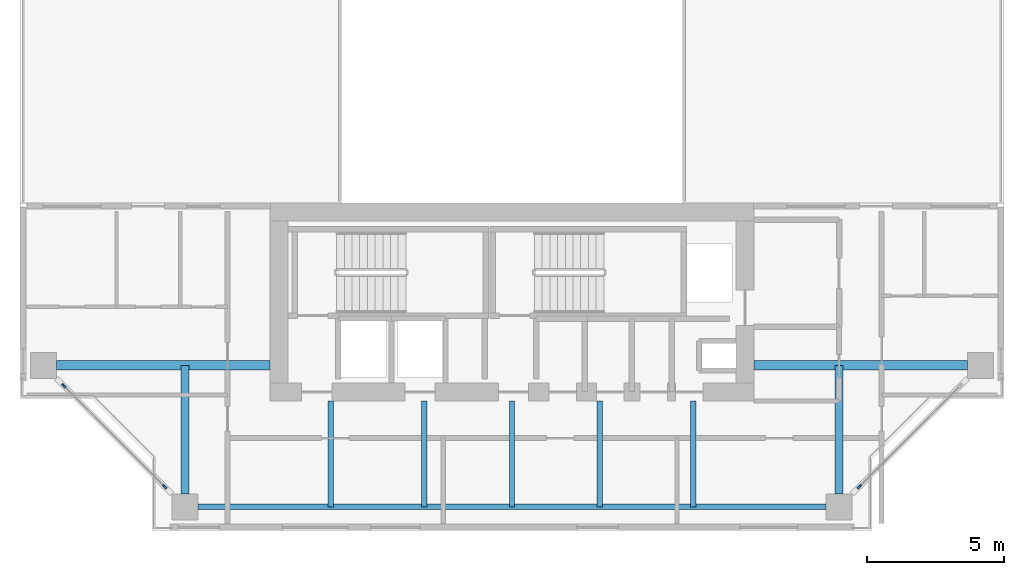
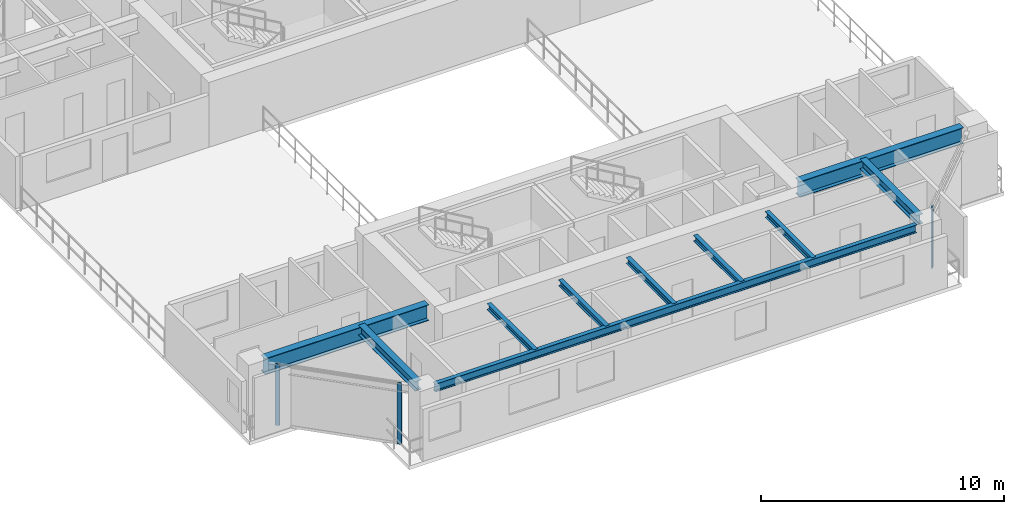
# One storey, part 2 of 14: 10 beams, 3 members, 2 elements without a shape of their own.
"""IFC4 building model written with IfcOpenShell, lengths in metres."""

from ifc_helpers import new_model, si_unit, direction, frame, origin, origin_2d, place, context, subcontext, project, spatial, rectangle, i_section, extrude, source, transform, mapped, material, layer, layer_set, material_profile, profile_set, type_object, element, aggregate, save


model = new_model("IFC4")

# Units and contexts
model_context = context("Model", 3, precision=1e-05, world=origin(), true_north=direction((0.0, 1.0)))
body_context = subcontext(model_context, "Body", "Model", "MODEL_VIEW")
ifc_project = project(units=[si_unit("LENGTHUNIT", "METRE"), si_unit("AREAUNIT", "SQUARE_METRE"), si_unit("VOLUMEUNIT", "CUBIC_METRE"), si_unit("PLANEANGLEUNIT", "RADIAN"), si_unit("MASSUNIT", "GRAM", prefix="KILO"), si_unit("THERMODYNAMICTEMPERATUREUNIT", "KELVIN"), si_unit("POWERUNIT", "WATT")], contexts=[model_context])

# Site, building, storey
site_placement = place(None, origin())
site = spatial("IfcSite", under=ifc_project, at=site_placement, CompositionType="ELEMENT")
building_placement = place(site_placement, origin())
building = spatial("IfcBuilding", under=site, at=building_placement, Name="Qiaomeng Ring Towers", CompositionType="ELEMENT")
storey_placement = place(building_placement, frame((0.0, 0.0, 153.5)))
storey = spatial("IfcBuildingStorey", under=building, at=storey_placement, Name="L44", CompositionType="ELEMENT", Elevation=153.5)

# Beams
ifc_material_1 = material(Name="Steel Q355B", Category="steel")
ifc_material_profile_1 = material_profile(ifc_material_1, i_section(OverallWidth=0.199951171875, OverallDepth=0.2939453125, WebThickness=0.008056640625, FlangeThickness=0.011962890625, FilletRadius=0.01806640625, at=origin_2d()), Name="HM 294x200x8x12")
ifc_profile_set_1 = profile_set([ifc_material_profile_1], Name="Steel Q355B")
beam_type_1 = type_object("IfcBeamType", Name="STR-BM-HM294", PredefinedType="JOIST", material=ifc_profile_set_1)
shared_shape_1 = source(origin(), body_context, "Body", "SweptSolid", [
    extrude(i_section(OverallWidth=0.199951171875, OverallDepth=0.2939453125, WebThickness=0.008056640625, FlangeThickness=0.011962890625, FilletRadius=0.01806640625, at=origin_2d()), origin(), (0.0, 0.0, 1.0), 3.85009765625),
])
for number, where, z_axis, x_axis, name in (
    (1, (12.39990234375, 5.949951171875, 2.923095703125), (0.0, 1.0, 0.0), (-1.0, 0.0, 0.0), "L44 beam STR-JST-L44-T1S-1"),
    (2, (15.800048828125, 5.949951171875, 2.923095703125), (0.0, 1.0, 0.0), (-1.0, 0.0, 0.0), "L44 beam STR-JST-L44-T1S-2"),
    (3, (19.0, 5.949951171875, 2.923095703125), (0.0, 1.0, 0.0), (-1.0, 0.0, 0.0), "L44 beam STR-JST-L44-T1S-3"),
    (4, (22.199951171875, 5.949951171875, 2.923095703125), (0.0, 1.0, 0.0), (-1.0, 0.0, 0.0), "L44 beam STR-JST-L44-T1S-4"),
    (5, (25.60009765625, 5.949951171875, 2.923095703125), (0.0, 1.0, 0.0), (-1.0, 0.0, 0.0), "L44 beam STR-JST-L44-T1S-5"),
):
    element("IfcBeam", number, at=place(storey_placement, frame(where, z_axis=z_axis, x_axis=x_axis)), inside=storey, type_object=beam_type_1, Name=name, PredefinedType="JOIST", context=body_context, shape_type="MappedRepresentation", body=[
        mapped(shared_shape_1, transform((0.0, 0.0, 0.0), x_axis=(1.0, 0.0, 0.0), y_axis=(0.0, 1.0, 0.0), z_axis=(0.0, 0.0, 1.0), scale=1.0)),
    ])
ifc_material_profile_2 = material_profile(ifc_material_1, i_section(OverallWidth=0.199951171875, OverallDepth=0.39990234375, WebThickness=0.008056640625, FlangeThickness=0.012939453125, FilletRadius=0.01611328125, at=origin_2d()), Name="HN 400x200x8x13")
ifc_profile_set_2 = profile_set([ifc_material_profile_2], Name="Steel Q355B")
beam_type_2 = type_object("IfcBeamType", Name="STR-BM-HN400", PredefinedType="SPANDREL", material=ifc_profile_set_2)
shared_shape_2 = source(origin(), body_context, "Body", "SweptSolid", [
    extrude(i_section(OverallWidth=0.199951171875, OverallDepth=0.39990234375, WebThickness=0.008056640625, FlangeThickness=0.012939453125, FilletRadius=0.01611328125, at=origin_2d()), origin(), (0.0, 0.0, 1.0), 22.85205078125),
])
beam_placement = place(storey_placement, frame((7.573974609375, 5.949951171875, 2.8701171875), z_axis=(1.0, 0.0, 0.0), x_axis=(0.0, 1.0, 0.0)))
element("IfcBeam", 6, at=beam_placement, inside=storey, type_object=beam_type_2, Name="L44 beam STR-SP-L44-T1-S1-S2", PredefinedType="SPANDREL", context=body_context, shape_type="MappedRepresentation", body=[
    mapped(shared_shape_2, transform((0.0, 0.0, 0.0), x_axis=(1.0, 0.0, 0.0), y_axis=(0.0, 1.0, 0.0), z_axis=(0.0, 0.0, 1.0), scale=1.0)),
])
ifc_material_2 = material(Name="Steel Q390GJC", Category="steel")
ifc_material_profile_3 = material_profile(ifc_material_2, i_section(OverallWidth=0.35009765625, OverallDepth=0.800048828125, WebThickness=0.01611328125, FlangeThickness=0.028076171875, at=origin_2d()), Name="WH 800x350x16x28")
ifc_profile_set_3 = profile_set([ifc_material_profile_3], Name="Steel Q390GJC")
beam_type_3 = type_object("IfcBeamType", Name="STR-BM-WH800", PredefinedType="BEAM", material=ifc_profile_set_3)
shared_shape_3 = source(origin(), body_context, "Body", "SweptSolid", [
    extrude(i_section(OverallWidth=0.35009765625, OverallDepth=0.800048828125, WebThickness=0.01611328125, FlangeThickness=0.028076171875, at=origin_2d()), origin(), (0.0, 0.0, 1.0), 7.77587890625),
])
for number, where, z_axis, x_axis, name in (
    (7, (2.424072265625, 11.10009765625, 2.669921875), (1.0, 0.0, 0.0), (0.0, 1.0, 0.0), "L44 beam STR-BM-L44-T1-RAD-W1"),
    (8, (27.800048828125, 11.10009765625, 2.669921875), (1.0, 0.0, 0.0), (0.0, 1.0, 0.0), "L44 beam STR-BM-L44-T1-RAD-E1"),
):
    element("IfcBeam", number, at=place(storey_placement, frame(where, z_axis=z_axis, x_axis=x_axis)), inside=storey, type_object=beam_type_3, Name=name, PredefinedType="BEAM", context=body_context, shape_type="MappedRepresentation", body=[
        mapped(shared_shape_3, transform((0.0, 0.0, 0.0), x_axis=(1.0, 0.0, 0.0), y_axis=(0.0, 1.0, 0.0), z_axis=(0.0, 0.0, 1.0), scale=1.0)),
    ])
ifc_material_profile_4 = material_profile(ifc_material_1, i_section(OverallWidth=0.300048828125, OverallDepth=0.488037109375, WebThickness=0.010986328125, FlangeThickness=0.01806640625, FilletRadius=0.02587890625, at=origin_2d()), Name="HM 488x300x11x18")
ifc_profile_set_4 = profile_set([ifc_material_profile_4], Name="Steel Q355B")
beam_type_4 = type_object("IfcBeamType", Name="STR-BM-HM488", PredefinedType="BEAM", material=ifc_profile_set_4)
shared_shape_4 = source(origin(), body_context, "Body", "SweptSolid", [
    extrude(i_section(OverallWidth=0.300048828125, OverallDepth=0.488037109375, WebThickness=0.010986328125, FlangeThickness=0.01806640625, FilletRadius=0.02587890625, at=origin_2d()), origin(), (0.0, 0.0, 1.0), 4.676025390625),
])
for number, where, z_axis, x_axis, name in (
    (9, (7.10009765625, 6.424072265625, 2.825927734375), (0.0, 1.0, 0.0), (-1.0, 0.0, 0.0), "L44 beam STR-BM-L44-T1-RAD-S1"),
    (10, (30.89990234375, 6.424072265625, 2.825927734375), (0.0, 1.0, 0.0), (-1.0, 0.0, 0.0), "L44 beam STR-BM-L44-T1-RAD-S2"),
):
    element("IfcBeam", number, at=place(storey_placement, frame(where, z_axis=z_axis, x_axis=x_axis)), inside=storey, type_object=beam_type_4, Name=name, PredefinedType="BEAM", context=body_context, shape_type="MappedRepresentation", body=[
        mapped(shared_shape_4, transform((0.0, 0.0, 0.0), x_axis=(1.0, 0.0, 0.0), y_axis=(0.0, 1.0, 0.0), z_axis=(0.0, 0.0, 1.0), scale=1.0)),
    ])

# Curtain wall, member
ifc_material_3 = material(Name="Fluorocarbon dark-grey aluminium", Category="aluminium")
ifc_layer = layer(ifc_material_3, 0.14990234375, Name="Fluorocarbon dark-grey aluminium")
ifc_layer_set = layer_set([ifc_layer], Name="Fluorocarbon dark-grey aluminium")
curtain_wall_type = type_object("IfcCurtainWallType", Name="ARC-CW-3", PredefinedType="NOTDEFINED", material=ifc_layer_set)
curtain_wall_1_placement = place(storey_placement, origin())
curtain_wall_1 = element("IfcCurtainWall", 11, at=curtain_wall_1_placement, inside=storey, type_object=curtain_wall_type, Name="L44 Curtain Wall CW3", PredefinedType="NOTDEFINED")
ifc_material_profile_5 = material_profile(ifc_material_3, rectangle(XDim=0.070068359375, YDim=0.179931640625, at=origin_2d()), Name="ALU MULL 70x180")
ifc_profile_set_5 = profile_set([ifc_material_profile_5], Name="Fluorocarbon dark-grey aluminium")
member_type = type_object("IfcMemberType", Name="ARC-CWM-160", PredefinedType="MULLION", material=ifc_profile_set_5)
shared_shape_5 = source(origin(), body_context, "Body", "SweptSolid", [
    extrude(rectangle(XDim=0.070068359375, YDim=0.179931640625, at=origin_2d()), origin(), (0.0, 0.0, 1.0), 3.070068359375),
])
member_1_placement = place(storey_placement, frame((31.6396484375, 6.689697265625, 0.0), z_axis=(0.0, 0.0, 1.0), x_axis=(-0.707106781187, 0.707106781187, 0.0)))
member_1 = element("IfcMember", 12, at=member_1_placement, type_object=member_type, Name="CW3 mullion 1", PredefinedType="MULLION", context=body_context, shape_type="MappedRepresentation", body=[
    mapped(shared_shape_5, transform((0.0, 0.0, 0.0), x_axis=(1.0, 0.0, 0.0), y_axis=(0.0, 1.0, 0.0), z_axis=(0.0, 0.0, 1.0), scale=1.0)),
])
aggregate(curtain_wall_1, [member_1])

# Curtain wall, members
curtain_wall_2_placement = place(storey_placement, origin())
curtain_wall_2 = element("IfcCurtainWall", 13, at=curtain_wall_2_placement, inside=storey, type_object=curtain_wall_type, Name="L44 Curtain Wall CW3", PredefinedType="NOTDEFINED")
member_2_placement = place(storey_placement, frame((2.689697265625, 10.3603515625, 0.0), z_axis=(0.0, 0.0, 1.0), x_axis=(0.707106781187, 0.707106781187, 0.0)))
member_2 = element("IfcMember", 14, at=member_2_placement, type_object=member_type, Name="CW3 mullion 1", PredefinedType="MULLION", context=body_context, shape_type="MappedRepresentation", body=[
    mapped(shared_shape_5, transform((0.0, 0.0, 0.0), x_axis=(1.0, 0.0, 0.0), y_axis=(0.0, 1.0, 0.0), z_axis=(0.0, 0.0, 1.0), scale=1.0)),
])
member_3_placement = place(storey_placement, frame((6.3603515625, 6.689697265625, 0.0), z_axis=(0.0, 0.0, 1.0), x_axis=(0.707106781187, 0.707106781187, 0.0)))
member_3 = element("IfcMember", 15, at=member_3_placement, type_object=member_type, Name="CW3 mullion 2", PredefinedType="MULLION", context=body_context, shape_type="MappedRepresentation", body=[
    mapped(shared_shape_5, transform((0.0, 0.0, 0.0), x_axis=(1.0, 0.0, 0.0), y_axis=(0.0, 1.0, 0.0), z_axis=(0.0, 0.0, 1.0), scale=1.0)),
])
aggregate(curtain_wall_2, [member_2, member_3])

save(model, "model.ifc")
